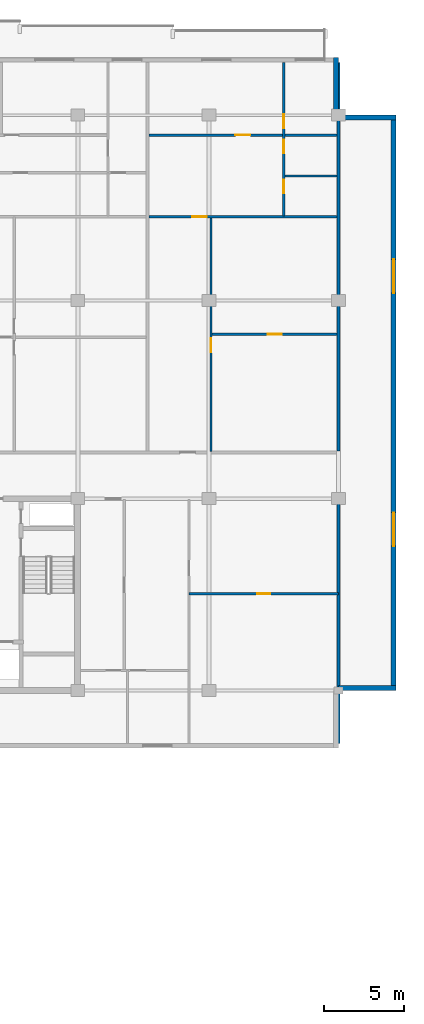
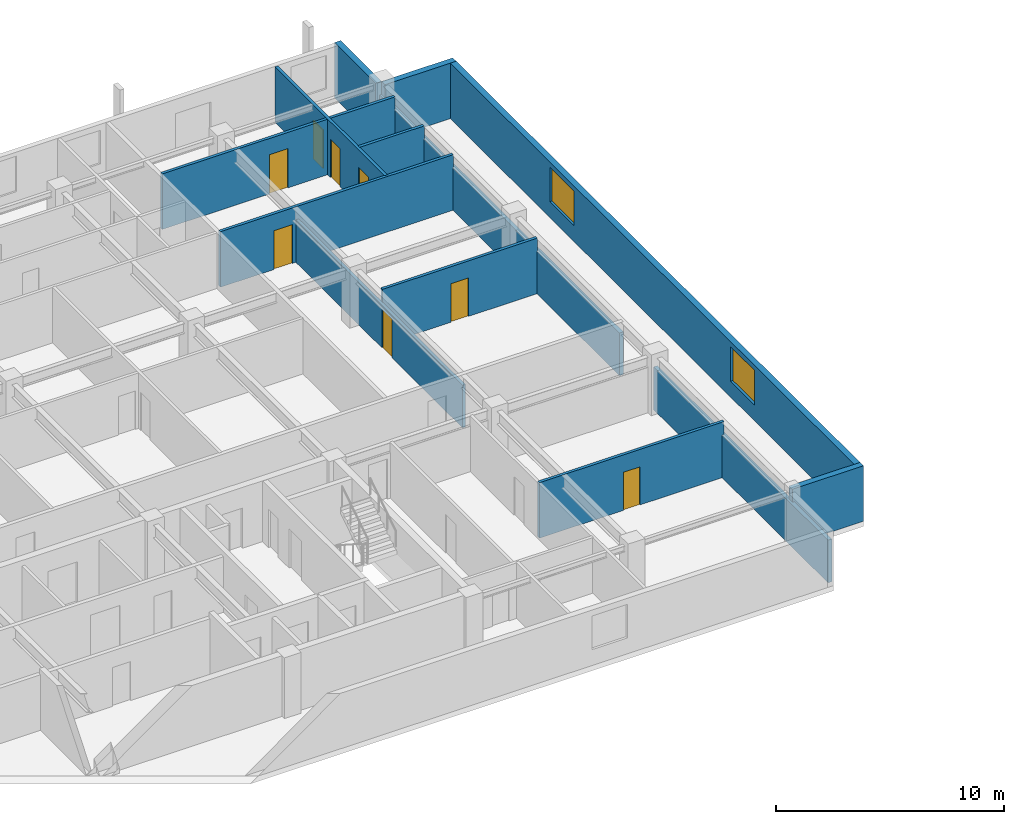
# One storey, part 16 of 22: 13 walls, 8 doors, 2 windows, 10 openings.
"""IFC4 building model written with IfcOpenShell, lengths in metres."""

import ifcopenshell
import ifcopenshell.guid

model = None  # the IFC model being written
_history = None  # IfcOwnerHistory: only IFC2X3 demands one
_inside = {}  # id of a spatial element -> (the spatial element, [elements in it])
_under = {}  # id of a project, library or spatial element -> (it, [spatial elements below it])
_declared = {}  # id of a project -> (the project, [libraries it declares])
_typed = {}  # id of a type object -> (the type object, [elements of that type])
_made_of = {}  # id of a material, layer set ... -> (it, [elements and type objects made of it])


def new_model(schema):
    """Start an empty IFC model of exactly this schema.

    Asked for "IFC4X3", IfcOpenShell would pick the latest addendum, in which some entities
    have other attributes; the version numbers below select the first issue.
    IFC2X3 requires an IfcOwnerHistory on every rooted entity: one is made here for all.
    """
    global model, _history
    if schema == "IFC4X3":
        model = ifcopenshell.file(schema_version=(4, 3, 0, 0))
    else:
        model = ifcopenshell.file(schema=schema)
    _inside.clear()
    _under.clear()
    _declared.clear()
    _typed.clear()
    _made_of.clear()
    _history = None
    if model.schema == "IFC2X3":
        org = make("IfcOrganization", Name="unknown")
        user = make(
            "IfcPersonAndOrganization",
            ThePerson=make("IfcPerson", FamilyName="unknown"),
            TheOrganization=org,
        )
        app = make(
            "IfcApplication",
            ApplicationDeveloper=org,
            Version="unknown",
            ApplicationFullName="unknown",
            ApplicationIdentifier="unknown",
        )
        _history = make(
            "IfcOwnerHistory",
            OwningUser=user,
            OwningApplication=app,
            ChangeAction="ADDED",
            CreationDate=0,
        )
    return model


def make(cls, **values):
    """One entity of the class cls with the attributes given. An attribute that is None is left unset."""
    return model.create_entity(
        cls, **{name: value for name, value in values.items() if value is not None}
    )


def rooted(cls, **values):
    """An entity with a GlobalId (a new one), such as an element, a storey or a relation."""
    return make(cls, GlobalId=ifcopenshell.guid.new(), OwnerHistory=_history, **values)


def si_unit(unit_type, name, prefix=None):
    """IfcSIUnit, for example si_unit("LENGTHUNIT", "METRE", prefix="MILLI")."""
    return make("IfcSIUnit", UnitType=unit_type, Prefix=prefix, Name=name)


def assignment(units):
    """IfcUnitAssignment: the units of a project."""
    return None if units is None else make("IfcUnitAssignment", Units=units)


def point(xyz):
    """IfcCartesianPoint."""
    return None if xyz is None else make("IfcCartesianPoint", Coordinates=xyz)


def direction(xyz):
    """IfcDirection."""
    return None if xyz is None else make("IfcDirection", DirectionRatios=xyz)


def frame(location, z_axis=None, x_axis=None):
    """IfcAxis2Placement3D, a coordinate frame: its origin and axes. An axis left out is left unset."""
    return make(
        "IfcAxis2Placement3D",
        Location=point(location),
        Axis=direction(z_axis),
        RefDirection=direction(x_axis),
    )


def frame_2d(location, x_axis=None):
    """IfcAxis2Placement2D, a coordinate frame in the plane: its origin and x axis."""
    return make(
        "IfcAxis2Placement2D", Location=point(location), RefDirection=direction(x_axis)
    )


def origin():
    """The frame at (0, 0, 0) with its axes left unset."""
    return frame((0.0, 0.0, 0.0))


def place(relative_to, where):
    """IfcLocalPlacement: puts the frame where relative to a parent placement (None: the world)."""
    return make(
        "IfcLocalPlacement", PlacementRelTo=relative_to, RelativePlacement=where
    )


def context(
    kind, dimensions, precision=None, world=None, true_north=None, identifier=None
):
    """IfcGeometricRepresentationContext, for example the 3D "Model" context."""
    return make(
        "IfcGeometricRepresentationContext",
        ContextIdentifier=identifier,
        ContextType=kind,
        CoordinateSpaceDimension=dimensions,
        Precision=precision,
        WorldCoordinateSystem=world,
        TrueNorth=true_north,
    )


def subcontext(parent, identifier, kind, view, scale=None):
    """IfcGeometricRepresentationSubContext, for example "Body" below "Model"."""
    return make(
        "IfcGeometricRepresentationSubContext",
        ContextIdentifier=identifier,
        ContextType=kind,
        ParentContext=parent,
        TargetScale=scale,
        TargetView=view,
    )


def project(units=None, contexts=None):
    """IfcProject with its units and contexts."""
    return rooted(
        "IfcProject",
        Name="project",
        RepresentationContexts=contexts,
        UnitsInContext=assignment(units),
    )


def spatial(cls, under=None, at=None, **own):
    """A site, building, storey or space (cls), placed at a placement, below another one or the project."""
    s = rooted(cls, ObjectPlacement=at, **own)
    if under is not None:
        _under.setdefault(under.id(), (under, []))[1].append(s)
    return s


def profile(cls, at=None, kind="AREA", **sizes):
    """A parametric profile (cls). Its sizes go by their IFC names, for example OverallWidth=200.0."""
    return make(cls, ProfileType=kind, Position=at, **sizes)


def rectangle(**sizes):
    """IfcRectangleProfileDef."""
    return profile("IfcRectangleProfileDef", **sizes)


def extrude(swept, where, along, depth):
    """IfcExtrudedAreaSolid: the profile swept, set in the frame where, extruded along a direction by depth."""
    return make(
        "IfcExtrudedAreaSolid",
        SweptArea=swept,
        Position=where,
        ExtrudedDirection=direction(along),
        Depth=depth,
    )


def shape(context_of_items, identifier, shape_type, items):
    """IfcShapeRepresentation: the items that make up one representation, for example the "Body"."""
    return make(
        "IfcShapeRepresentation",
        ContextOfItems=context_of_items,
        RepresentationIdentifier=identifier,
        RepresentationType=shape_type,
        Items=items,
    )


def material(Name=None, Category=None):
    """IfcMaterial."""
    return make("IfcMaterial", Name=Name, Category=Category)


def layer(
    of_material, thickness, ventilated=None, Name=None, Category=None, Priority=None
):
    """IfcMaterialLayer: one layer of a wall or slab, of a material (None: an air gap)."""
    return make(
        "IfcMaterialLayer",
        Material=of_material,
        LayerThickness=thickness,
        IsVentilated=ventilated,
        Name=Name,
        Category=Category,
        Priority=Priority,
    )


def layer_set(layers, Name=None):
    """IfcMaterialLayerSet."""
    return make("IfcMaterialLayerSet", MaterialLayers=layers, LayerSetName=Name)


def made_of(thing, what):
    """Note that an element or type object is made of a material, layer set ...; save() writes the relation."""
    if what is not None:
        _made_of.setdefault(what.id(), (what, []))[1].append(thing)
    return thing


def type_object(cls, material=None, **own):
    """A type object (cls), such as IfcWallType, which elements share."""
    return made_of(rooted(cls, **own), material)


def element(
    cls,
    number,
    at=None,
    inside=None,
    cuts=None,
    type_object=None,
    material=None,
    context=None,
    identifier="Body",
    shape_type=None,
    held_by="IfcProductDefinitionShape",
    body=None,
    shapes=None,
    **own,
):
    """One element of the class cls, such as IfcWall. Its Tag is "e" and its number.

    at: its placement. inside: the storey or other place that contains it. cuts: it is an
    opening in that element (IfcRelVoidsElement). A single representation is given by context,
    identifier, shape_type and body (its items); several are given by shapes. held_by: the class
    of the entity that holds the representations. save() writes the other relations.
    """
    e = rooted(cls, Tag="e%d" % number, ObjectPlacement=at, **own)
    if body is not None:
        shapes = [shape(context, identifier, shape_type, body)]
    if shapes is not None:
        e.Representation = make(held_by, Representations=shapes)
    if inside is not None:
        _inside.setdefault(inside.id(), (inside, []))[1].append(e)
    if cuts is not None:
        rooted(
            "IfcRelVoidsElement", RelatingBuildingElement=cuts, RelatedOpeningElement=e
        )
    if type_object is not None:
        _typed.setdefault(type_object.id(), (type_object, []))[1].append(e)
    return made_of(e, material)


def fill(opening, filler):
    """IfcRelFillsElement: the door or window that sits in an opening."""
    return rooted(
        "IfcRelFillsElement",
        RelatingOpeningElement=opening,
        RelatedBuildingElement=filler,
    )


def aggregate(whole, parts):
    """IfcRelAggregates: a whole, such as a stair, and the parts it consists of."""
    return rooted("IfcRelAggregates", RelatingObject=whole, RelatedObjects=parts)


def save(model, path):
    """Write the relations noted so far, then the file.

    IfcRelAggregates (storeys below a building ...), IfcRelContainedInSpatialStructure (elements
    in a storey), IfcRelDefinesByType, IfcRelAssociatesMaterial and IfcRelDeclares: one each for
    every whole, place, type object, material and project.
    """
    for whole, parts in _under.values():
        aggregate(whole, parts)
    for where, things in _inside.values():
        rooted(
            "IfcRelContainedInSpatialStructure",
            RelatedElements=things,
            RelatingStructure=where,
        )
    for kind, things in _typed.values():
        rooted("IfcRelDefinesByType", RelatedObjects=things, RelatingType=kind)
    for what, things in _made_of.values():
        rooted("IfcRelAssociatesMaterial", RelatedObjects=things, RelatingMaterial=what)
    for by, libraries in _declared.values():
        rooted("IfcRelDeclares", RelatingContext=by, RelatedDefinitions=libraries)
    model.write(path)


model = new_model("IFC4")

# Units and contexts
model_context = context("Model", 3, precision=1e-05, world=origin(), true_north=direction((0.0, 1.0)))
body_context = subcontext(model_context, "Body", "Model", "MODEL_VIEW")
ifc_project = project(units=[si_unit("LENGTHUNIT", "METRE"), si_unit("AREAUNIT", "SQUARE_METRE"), si_unit("VOLUMEUNIT", "CUBIC_METRE"), si_unit("PLANEANGLEUNIT", "RADIAN"), si_unit("MASSUNIT", "GRAM", prefix="KILO")], contexts=[model_context])

# Site, building, storey
site_placement = place(None, origin())
site = spatial("IfcSite", under=ifc_project, at=site_placement, CompositionType="ELEMENT")
building_placement = place(site_placement, origin())
building = spatial("IfcBuilding", under=site, at=building_placement, Name="Korimba Cascade Residences", CompositionType="ELEMENT")
storey_placement = place(building_placement, frame((0.0, 0.0, 197.85009765625)))
storey = spatial("IfcBuildingStorey", under=building, at=storey_placement, Name="L57", CompositionType="ELEMENT", Elevation=197.85009765625)

# Wall
ifc_material_1 = material(Name="Precast concrete C40/50", Category="concrete")
ifc_layer_1 = layer(ifc_material_1, 0.300048828125)
ifc_layer_set_1 = layer_set([ifc_layer_1], Name="Precast concrete C40/50")
wall_type_1 = type_object("IfcWallType", Name="EW-STONE-300", PredefinedType="STANDARD", material=ifc_layer_set_1)
wall_1_placement = place(storey_placement, frame((128.39990234375, 55.35009765625, 0.0), z_axis=(0.0, 0.0, 1.0), x_axis=(1.0, 0.0, 0.0)))
element("IfcWall", 1, at=wall_1_placement, inside=storey, type_object=wall_type_1, Name="L57 T1 Perimeter Stone Wall E02", PredefinedType="STANDARD", context=body_context, shape_type="SweptSolid", body=[
    extrude(rectangle(XDim=3.60009765625, YDim=0.300048828125, at=frame_2d((1.800048828125, 0.0))), origin(), (0.0, 0.0, 1.0), 2.969970703125),
])

# Wall, openings, windows
wall_2_placement = place(storey_placement, frame((131.85009765625, 55.199951171875, 0.0), z_axis=(0.0, 0.0, 1.0), x_axis=(0.0, 1.0, 0.0)))
wall_2 = element("IfcWall", 2, at=wall_2_placement, inside=storey, type_object=wall_type_1, Name="L57 T1 Perimeter Stone Wall E03", PredefinedType="STANDARD", context=body_context, shape_type="SweptSolid", body=[
    extrude(rectangle(XDim=36.0, YDim=0.300048828125, at=frame_2d((18.0, 0.0))), origin(), (0.0, 0.0, 1.0), 2.969970703125),
])
opening_1_placement = place(wall_2_placement, frame((9.030029296875, 0.0, 0.85009765625)))
opening_1 = element("IfcOpeningElement", 3, at=opening_1_placement, cuts=wall_2, Name="Opening W-03", PredefinedType="OPENING", context=body_context, shape_type="SweptSolid", body=[
    extrude(rectangle(XDim=2.10009765625, YDim=1.85009765625, at=frame_2d((1.050048828125, 0.925048828125))), frame((0.0, 0.16015625, 0.0), z_axis=(0.0, -1.0, 0.0), x_axis=(1.0, 0.0, 0.0)), (0.0, 0.0, 1.0), 0.320068359375),
])
opening_2_placement = place(wall_2_placement, frame((24.8701171875, 0.0, 0.85009765625)))
opening_2 = element("IfcOpeningElement", 4, at=opening_2_placement, cuts=wall_2, Name="Opening W-03", PredefinedType="OPENING", context=body_context, shape_type="SweptSolid", body=[
    extrude(rectangle(XDim=2.10009765625, YDim=1.85009765625, at=frame_2d((1.050048828125, 0.925048828125))), frame((0.0, 0.16015625, 0.0), z_axis=(0.0, -1.0, 0.0), x_axis=(1.0, 0.0, 0.0)), (0.0, 0.0, 1.0), 0.320068359375),
])
ifc_material_2 = material(Name="Double-Glazed Aluminium Window", Category="aluminium")
window_type = type_object("IfcWindowType", Name="WIN-CRN-2100", PartitioningType="DOUBLE_PANEL_HORIZONTAL", PredefinedType="WINDOW", material=ifc_material_2)
window_1_placement = place(opening_1_placement, origin())
window_1 = element("IfcWindow", 5, at=window_1_placement, inside=storey, type_object=window_type, Name="L57 T1 End View Window 3.1", OverallHeight=1.85009765625, OverallWidth=2.10009765625, PartitioningType="DOUBLE_PANEL_HORIZONTAL", PredefinedType="WINDOW", context=body_context, shape_type="SweptSolid", body=[
    extrude(rectangle(XDim=2.10009765625, YDim=1.85009765625, at=frame_2d((1.050048828125, 0.925048828125))), frame((0.0, 0.030029296875, 0.0), z_axis=(0.0, -1.0, 0.0), x_axis=(1.0, 0.0, 0.0)), (0.0, 0.0, 1.0), 0.06005859375),
])
fill(opening_1, window_1)
window_2_placement = place(opening_2_placement, origin())
window_2 = element("IfcWindow", 6, at=window_2_placement, inside=storey, type_object=window_type, Name="L57 T1 End View Window 3.2", OverallHeight=1.85009765625, OverallWidth=2.10009765625, PartitioningType="DOUBLE_PANEL_HORIZONTAL", PredefinedType="WINDOW", context=body_context, shape_type="SweptSolid", body=[
    extrude(rectangle(XDim=2.10009765625, YDim=1.85009765625, at=frame_2d((1.050048828125, 0.925048828125))), frame((0.0, 0.030029296875, 0.0), z_axis=(0.0, -1.0, 0.0), x_axis=(1.0, 0.0, 0.0)), (0.0, 0.0, 1.0), 0.06005859375),
])
fill(opening_2, window_2)

# Walls
for number, where, z_axis, x_axis, name in (
    (7, (132.0, 91.050048828125, 0.0), (0.0, 0.0, 1.0), (-1.0, 0.0, 0.0), "L57 T1 Perimeter Stone Wall E04"),
    (8, (128.25, 91.199951171875, 0.0), (0.0, 0.0, 1.0), (0.0, 1.0, 0.0), "L57 T1 Perimeter Stone Wall E05"),
):
    element("IfcWall", number, at=place(storey_placement, frame(where, z_axis=z_axis, x_axis=x_axis)), inside=storey, type_object=wall_type_1, Name=name, PredefinedType="STANDARD", context=body_context, shape_type="SweptSolid", body=[
        extrude(rectangle(XDim=3.60009765625, YDim=0.300048828125, at=frame_2d((1.800048828125, 0.0))), origin(), (0.0, 0.0, 1.0), 2.969970703125),
    ])
ifc_layer_2 = layer(ifc_material_1, 0.199951171875)
ifc_layer_set_2 = layer_set([ifc_layer_2], Name="Precast concrete C40/50")
wall_type_2 = type_object("IfcWallType", Name="WAL-IT-200", PredefinedType="PARTITIONING", material=ifc_layer_set_2)
wall_3_placement = place(storey_placement, frame((128.39990234375, 51.89990234375, 0.0), z_axis=(0.0, 0.0, 1.0), x_axis=(0.0, 1.0, 0.0)))
element("IfcWall", 9, at=wall_3_placement, inside=storey, type_object=wall_type_2, Name="L57 Partition Wall WAL-L57-T1-FE-WR", PredefinedType="PARTITIONING", context=body_context, shape_type="SweptSolid", body=[
    extrude(rectangle(XDim=15.300048828125, YDim=0.199951171875, at=frame_2d((7.64990234375, 0.0))), origin(), (0.0, 0.0, 1.0), 2.277099609375),
])
wall_4_placement = place(storey_placement, frame((128.39990234375, 70.179931640625, 0.0), z_axis=(0.0, 0.0, 1.0), x_axis=(0.0, 1.0, 0.0)))
element("IfcWall", 10, at=wall_4_placement, inside=storey, type_object=wall_type_2, Name="L57 Partition Wall WAL-L57-T1-BNDWR", PredefinedType="PARTITIONING", context=body_context, shape_type="SweptSolid", body=[
    extrude(rectangle(XDim=24.320068359375, YDim=0.199951171875, at=frame_2d((12.16015625, 0.0))), origin(), (0.0, 0.0, 1.0), 2.277099609375),
])

# Wall, opening, door
ifc_material_3 = material(Name="Insulated Acoustic Stud Partition", Category="gypsum")
ifc_layer_3 = layer(ifc_material_3, 0.14990234375)
ifc_layer_set_3 = layer_set([ifc_layer_3], Name="Insulated Acoustic Stud Partition")
wall_type_3 = type_object("IfcWallType", Name="WAL-PART-150", PredefinedType="PARTITIONING", material=ifc_layer_set_3)
wall_5_placement = place(storey_placement, frame((119.050048828125, 61.25, 0.0), z_axis=(0.0, 0.0, 1.0), x_axis=(1.0, 0.0, 0.0)))
wall_5 = element("IfcWall", 11, at=wall_5_placement, inside=storey, type_object=wall_type_3, Name="L57 Partition Wall WAL-L57-T1-FE-STH", PredefinedType="PARTITIONING", context=body_context, shape_type="SweptSolid", body=[
    extrude(rectangle(XDim=9.349853515625, YDim=0.14990234375, at=frame_2d((4.6748046875, 0.0))), origin(), (0.0, 0.0, 1.0), 2.969970703125),
])
opening_3_placement = place(wall_5_placement, frame((4.2548828125, 0.0, 0.0)))
opening_3 = element("IfcOpeningElement", 12, at=opening_3_placement, cuts=wall_5, Name="Opening D-BT1", PredefinedType="OPENING", context=body_context, shape_type="SweptSolid", body=[
    extrude(rectangle(XDim=0.840087890625, YDim=2.0400390625, at=frame_2d((0.419921875, 1.02001953125))), frame((0.0, 0.0849609375, 0.0), z_axis=(0.0, -1.0, 0.0), x_axis=(1.0, 0.0, 0.0)), (0.0, 0.0, 1.0), 0.169921875),
])
ifc_material_4 = material(Name="Moisture-Resistant Bathroom Timber Door", Category="wood")
door_type_1 = type_object("IfcDoorType", Name="DR-INT-850", OperationType="NOTDEFINED", PredefinedType="DOOR", material=ifc_material_4)
door_1_placement = place(opening_3_placement, origin())
door_1 = element("IfcDoor", 13, at=door_1_placement, inside=storey, type_object=door_type_1, Name="L57-T1-FE Dressing Store Door", OperationType="SINGLE_SWING_RIGHT", OverallHeight=2.0400390625, OverallWidth=0.840087890625, PredefinedType="DOOR", context=body_context, shape_type="SweptSolid", body=[
    extrude(rectangle(XDim=0.840087890625, YDim=2.0400390625, at=frame_2d((0.419921875, 1.02001953125))), frame((0.0, 0.02490234375, 0.0), z_axis=(0.0, -1.0, 0.0), x_axis=(1.0, 0.0, 0.0)), (0.0, 0.0, 1.0), 0.050048828125),
])
fill(opening_3, door_1)

wall_6_placement = place(storey_placement, frame((120.482421875, 77.485107421875, 0.0), z_axis=(0.0, 0.0, 1.0), x_axis=(1.0, 0.0, 0.0)))
wall_6 = element("IfcWall", 14, at=wall_6_placement, inside=storey, type_object=wall_type_3, Name="L57 Partition Wall WAL-L57-T1-U04-FMH", PredefinedType="PARTITIONING", context=body_context, shape_type="SweptSolid", body=[
    extrude(rectangle(XDim=7.837646484375, YDim=0.14990234375, at=frame_2d((3.9189453125, 0.0))), origin(), (0.0, 0.0, 1.0), 2.969970703125),
])
opening_4_placement = place(wall_6_placement, frame((3.478759765625, 0.0, 0.0)))
opening_4 = element("IfcOpeningElement", 15, at=opening_4_placement, cuts=wall_6, Name="Opening D-IN2", PredefinedType="OPENING", context=body_context, shape_type="SweptSolid", body=[
    extrude(rectangle(XDim=0.8798828125, YDim=2.06005859375, at=frame_2d((0.43994140625, 1.030029296875))), frame((0.0, 0.0849609375, 0.0), z_axis=(0.0, -1.0, 0.0), x_axis=(1.0, 0.0, 0.0)), (0.0, 0.0, 1.0), 0.169921875),
])
ifc_material_5 = material(Name="Acoustic Timber Bedroom Door", Category="wood")
door_type_2 = type_object("IfcDoorType", Name="DR-INT-880", OperationType="NOTDEFINED", PredefinedType="DOOR", material=ifc_material_5)
door_2_placement = place(opening_4_placement, origin())
door_2 = element("IfcDoor", 16, at=door_2_placement, inside=storey, type_object=door_type_2, Name="L57-T1-U04 Library Salon Door", OperationType="SINGLE_SWING_LEFT", OverallHeight=2.06005859375, OverallWidth=0.8798828125, PredefinedType="DOOR", context=body_context, shape_type="SweptSolid", body=[
    extrude(rectangle(XDim=0.8798828125, YDim=2.06005859375, at=frame_2d((0.43994140625, 1.030029296875))), frame((0.0, 0.02490234375, 0.0), z_axis=(0.0, -1.0, 0.0), x_axis=(1.0, 0.0, 0.0)), (0.0, 0.0, 1.0), 0.050048828125),
])
fill(opening_4, door_2)

wall_7_placement = place(storey_placement, frame((120.42236328125, 70.159912109375, 0.0), z_axis=(0.0, 0.0, 1.0), x_axis=(0.0, 1.0, 0.0)))
wall_7 = element("IfcWall", 17, at=wall_7_placement, inside=storey, type_object=wall_type_3, Name="L57 Partition Wall WAL-L57-T1-U04-FV", PredefinedType="PARTITIONING", context=body_context, shape_type="SweptSolid", body=[
    extrude(rectangle(XDim=14.650146484375, YDim=0.14990234375, at=frame_2d((7.3251953125, 0.0))), origin(), (0.0, 0.0, 1.0), 2.277099609375),
])
opening_5_placement = place(wall_7_placement, frame((6.195068359375, 0.0, 0.0)))
opening_5 = element("IfcOpeningElement", 18, at=opening_5_placement, cuts=wall_7, Name="Opening D-IN2", PredefinedType="OPENING", context=body_context, shape_type="SweptSolid", body=[
    extrude(rectangle(XDim=0.8798828125, YDim=2.06005859375, at=frame_2d((0.43994140625, 1.030029296875))), frame((0.0, 0.0849609375, 0.0), z_axis=(0.0, -1.0, 0.0), x_axis=(1.0, 0.0, 0.0)), (0.0, 0.0, 1.0), 0.169921875),
])
door_3_placement = place(opening_5_placement, origin())
door_3 = element("IfcDoor", 19, at=door_3_placement, inside=storey, type_object=door_type_2, Name="L57-T1-U04 Media Lounge Door", OperationType="SINGLE_SWING_RIGHT", OverallHeight=2.06005859375, OverallWidth=0.8798828125, PredefinedType="DOOR", context=body_context, shape_type="SweptSolid", body=[
    extrude(rectangle(XDim=0.8798828125, YDim=2.06005859375, at=frame_2d((0.43994140625, 1.030029296875))), frame((0.0, 0.02490234375, 0.0), z_axis=(0.0, -1.0, 0.0), x_axis=(1.0, 0.0, 0.0)), (0.0, 0.0, 1.0), 0.050048828125),
])
fill(opening_5, door_3)

# Wall
wall_8_placement = place(storey_placement, frame((125.0400390625, 87.389892578125, 0.0), z_axis=(0.0, 0.0, 1.0), x_axis=(1.0, 0.0, 0.0)))
element("IfcWall", 20, at=wall_8_placement, inside=storey, type_object=wall_type_3, Name="L57 Partition Wall WAL-L57-T1-U04-BLDIV", PredefinedType="PARTITIONING", context=body_context, shape_type="SweptSolid", body=[
    extrude(rectangle(XDim=3.280029296875, YDim=0.14990234375, at=frame_2d((1.64013671875, 0.0))), origin(), (0.0, 0.0, 1.0), 2.969970703125),
])

# Wall, openings, doors
wall_9_placement = place(storey_placement, frame((124.97998046875, 84.889892578125, 0.0), z_axis=(0.0, 0.0, 1.0), x_axis=(0.0, 1.0, 0.0)))
wall_9 = element("IfcWall", 21, at=wall_9_placement, inside=storey, type_object=wall_type_3, Name="L57 Partition Wall WAL-L57-T1-U04-V1", PredefinedType="PARTITIONING", context=body_context, shape_type="SweptSolid", body=[
    extrude(rectangle(XDim=9.610107421875, YDim=0.14990234375, at=frame_2d((4.80517578125, 0.0))), origin(), (0.0, 0.0, 1.0), 2.969970703125),
])
opening_6_placement = place(wall_9_placement, frame((1.430419921875, 0.0, 0.0)))
opening_6 = element("IfcOpeningElement", 22, at=opening_6_placement, cuts=wall_9, Name="Opening D-BT1", PredefinedType="OPENING", context=body_context, shape_type="SweptSolid", body=[
    extrude(rectangle(XDim=0.840087890625, YDim=2.0400390625, at=frame_2d((0.419921875, 1.02001953125))), frame((0.0, 0.0849609375, 0.0), z_axis=(0.0, -1.0, 0.0), x_axis=(1.0, 0.0, 0.0)), (0.0, 0.0, 1.0), 0.169921875),
])
opening_7_placement = place(wall_9_placement, frame((3.919921875, 0.0, 0.0)))
opening_7 = element("IfcOpeningElement", 23, at=opening_7_placement, cuts=wall_9, Name="Opening D-BT1", PredefinedType="OPENING", context=body_context, shape_type="SweptSolid", body=[
    extrude(rectangle(XDim=0.840087890625, YDim=2.0400390625, at=frame_2d((0.419921875, 1.02001953125))), frame((0.0, 0.0849609375, 0.0), z_axis=(0.0, -1.0, 0.0), x_axis=(1.0, 0.0, 0.0)), (0.0, 0.0, 1.0), 0.169921875),
])
opening_8_placement = place(wall_9_placement, frame((5.47998046875, 0.0, 0.0)))
opening_8 = element("IfcOpeningElement", 24, at=opening_8_placement, cuts=wall_9, Name="Opening D-IN2", PredefinedType="OPENING", context=body_context, shape_type="SweptSolid", body=[
    extrude(rectangle(XDim=0.8798828125, YDim=2.06005859375, at=frame_2d((0.43994140625, 1.030029296875))), frame((0.0, 0.0849609375, 0.0), z_axis=(0.0, -1.0, 0.0), x_axis=(1.0, 0.0, 0.0)), (0.0, 0.0, 1.0), 0.169921875),
])
door_4_placement = place(opening_6_placement, origin())
door_4 = element("IfcDoor", 25, at=door_4_placement, inside=storey, type_object=door_type_1, Name="L57-T1-U04 Bathroom Door", OperationType="SINGLE_SWING_LEFT", OverallHeight=2.0400390625, OverallWidth=0.840087890625, PredefinedType="DOOR", context=body_context, shape_type="SweptSolid", body=[
    extrude(rectangle(XDim=0.840087890625, YDim=2.0400390625, at=frame_2d((0.419921875, 1.02001953125))), frame((0.0, 0.02490234375, 0.0), z_axis=(0.0, -1.0, 0.0), x_axis=(1.0, 0.0, 0.0)), (0.0, 0.0, 1.0), 0.050048828125),
])
fill(opening_6, door_4)
door_5_placement = place(opening_7_placement, origin())
door_5 = element("IfcDoor", 26, at=door_5_placement, inside=storey, type_object=door_type_1, Name="L57-T1-U04 Laundry Door", OperationType="SINGLE_SWING_RIGHT", OverallHeight=2.0400390625, OverallWidth=0.840087890625, PredefinedType="DOOR", context=body_context, shape_type="SweptSolid", body=[
    extrude(rectangle(XDim=0.840087890625, YDim=2.0400390625, at=frame_2d((0.419921875, 1.02001953125))), frame((0.0, 0.02490234375, 0.0), z_axis=(0.0, -1.0, 0.0), x_axis=(1.0, 0.0, 0.0)), (0.0, 0.0, 1.0), 0.050048828125),
])
fill(opening_7, door_5)
door_6_placement = place(opening_8_placement, origin())
door_6 = element("IfcDoor", 27, at=door_6_placement, inside=storey, type_object=door_type_2, Name="L57-T1-U04 Bedroom 1 Door", OperationType="SINGLE_SWING_LEFT", OverallHeight=2.06005859375, OverallWidth=0.8798828125, PredefinedType="DOOR", context=body_context, shape_type="SweptSolid", body=[
    extrude(rectangle(XDim=0.8798828125, YDim=2.06005859375, at=frame_2d((0.43994140625, 1.030029296875))), frame((0.0, 0.02490234375, 0.0), z_axis=(0.0, -1.0, 0.0), x_axis=(1.0, 0.0, 0.0)), (0.0, 0.0, 1.0), 0.050048828125),
])
fill(opening_8, door_6)

# Wall, opening, door
wall_10_placement = place(storey_placement, frame((116.5322265625, 84.85009765625, 0.0), z_axis=(0.0, 0.0, 1.0), x_axis=(1.0, 0.0, 0.0)))
wall_10 = element("IfcWall", 28, at=wall_10_placement, inside=storey, type_object=wall_type_3, Name="L57 Partition Wall WAL-L57-T1-U04-MW", PredefinedType="PARTITIONING", context=body_context, shape_type="SweptSolid", body=[
    extrude(rectangle(XDim=11.787841796875, YDim=0.14990234375, at=frame_2d((5.89404296875, 0.0))), origin(), (0.0, 0.0, 1.0), 2.969970703125),
])
opening_9_placement = place(wall_10_placement, frame((2.719970703125, 0.0, 0.0)))
opening_9 = element("IfcOpeningElement", 29, at=opening_9_placement, cuts=wall_10, Name="Opening D-IN1", PredefinedType="OPENING", context=body_context, shape_type="SweptSolid", body=[
    extrude(rectangle(XDim=0.919921875, YDim=2.080078125, at=frame_2d((0.4599609375, 1.0400390625))), frame((0.0, 0.0849609375, 0.0), z_axis=(0.0, -1.0, 0.0), x_axis=(1.0, 0.0, 0.0)), (0.0, 0.0, 1.0), 0.169921875),
])
ifc_material_6 = material(Name="Acoustic Timber Living Door", Category="wood")
door_type_3 = type_object("IfcDoorType", Name="DR-INT-920", OperationType="NOTDEFINED", PredefinedType="DOOR", material=ifc_material_6)
door_7_placement = place(opening_9_placement, origin())
door_7 = element("IfcDoor", 30, at=door_7_placement, inside=storey, type_object=door_type_3, Name="L57-T1-U04 Kitchen Archway Door", OperationType="SINGLE_SWING_RIGHT", OverallHeight=2.080078125, OverallWidth=0.919921875, PredefinedType="DOOR", context=body_context, shape_type="SweptSolid", body=[
    extrude(rectangle(XDim=0.919921875, YDim=2.080078125, at=frame_2d((0.4599609375, 1.0400390625))), frame((0.0, 0.02490234375, 0.0), z_axis=(0.0, -1.0, 0.0), x_axis=(1.0, 0.0, 0.0)), (0.0, 0.0, 1.0), 0.050048828125),
])
fill(opening_9, door_7)

wall_11_placement = place(storey_placement, frame((116.5322265625, 89.949951171875, 0.0), z_axis=(0.0, 0.0, 1.0), x_axis=(1.0, 0.0, 0.0)))
wall_11 = element("IfcWall", 31, at=wall_11_placement, inside=storey, type_object=wall_type_3, Name="L57 Partition Wall WAL-L57-T1-U04-HZ", PredefinedType="PARTITIONING", context=body_context, shape_type="SweptSolid", body=[
    extrude(rectangle(XDim=11.787841796875, YDim=0.14990234375, at=frame_2d((5.89404296875, 0.0))), origin(), (0.0, 0.0, 1.0), 2.969970703125),
])
opening_10_placement = place(wall_11_placement, frame((5.423828125, 0.0, 0.0)))
opening_10 = element("IfcOpeningElement", 32, at=opening_10_placement, cuts=wall_11, Name="Opening D-IN0", PredefinedType="OPENING", context=body_context, shape_type="SweptSolid", body=[
    extrude(rectangle(XDim=0.93994140625, YDim=2.10009765625, at=frame_2d((0.469970703125, 1.050048828125))), frame((0.0, 0.0849609375, 0.0), z_axis=(0.0, -1.0, 0.0), x_axis=(1.0, 0.0, 0.0)), (0.0, 0.0, 1.0), 0.169921875),
])
ifc_material_7 = material(Name="Acoustic Timber Living Archway Door", Category="wood")
door_type_4 = type_object("IfcDoorType", Name="DR-INT-950", OperationType="NOTDEFINED", PredefinedType="DOOR", material=ifc_material_7)
door_8_placement = place(opening_10_placement, origin())
door_8 = element("IfcDoor", 33, at=door_8_placement, inside=storey, type_object=door_type_4, Name="L57-T1-U04 Living Archway Door", OperationType="SINGLE_SWING_LEFT", OverallHeight=2.10009765625, OverallWidth=0.93994140625, PredefinedType="DOOR", context=body_context, shape_type="SweptSolid", body=[
    extrude(rectangle(XDim=0.93994140625, YDim=2.10009765625, at=frame_2d((0.469970703125, 1.050048828125))), frame((0.0, 0.02490234375, 0.0), z_axis=(0.0, -1.0, 0.0), x_axis=(1.0, 0.0, 0.0)), (0.0, 0.0, 1.0), 0.050048828125),
])
fill(opening_10, door_8)

save(model, "model.ifc")
